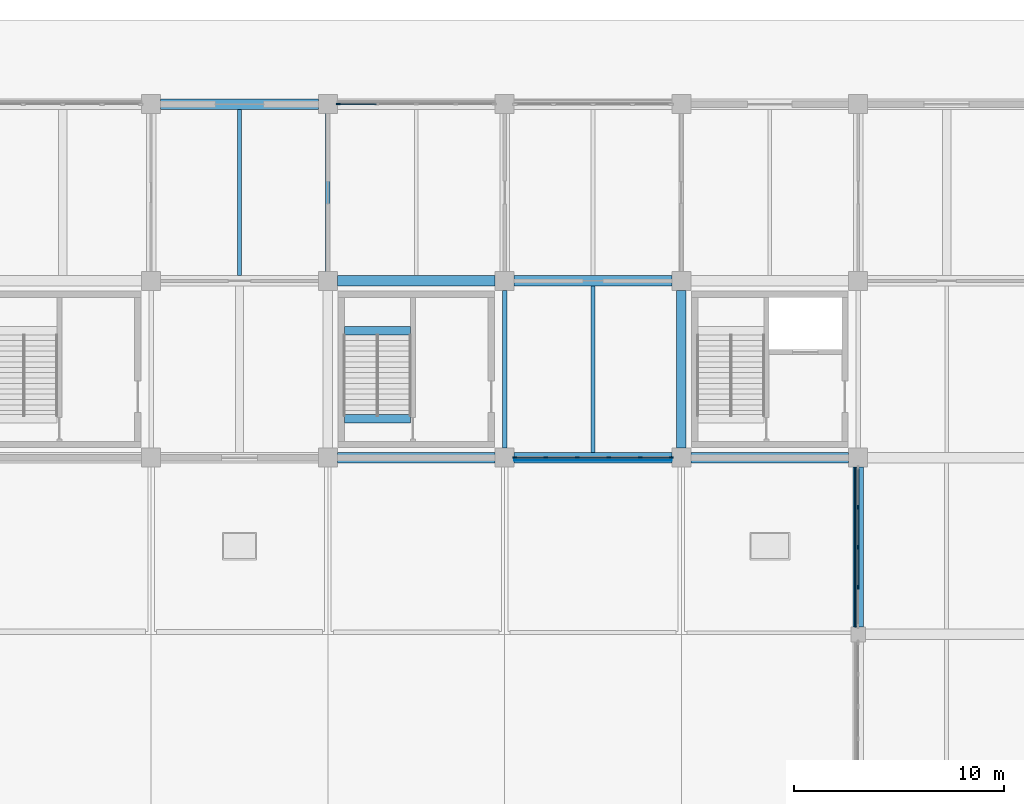
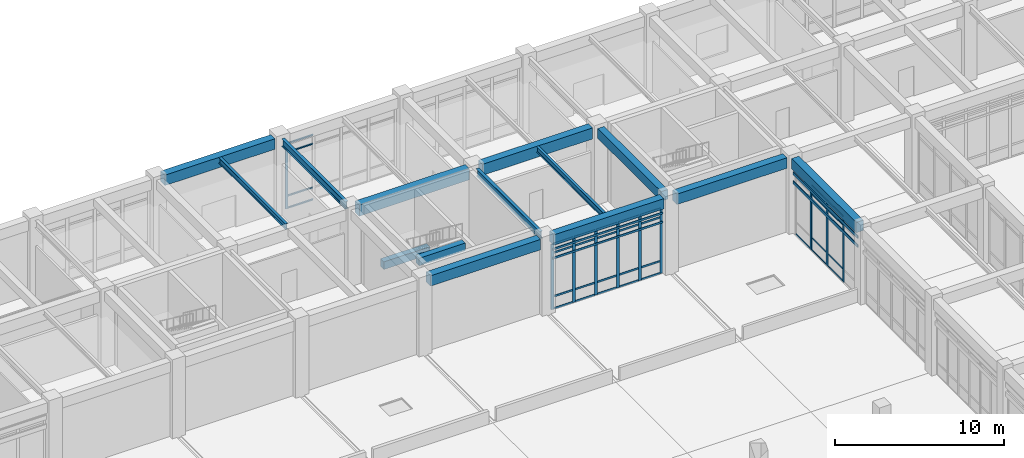
# One storey, part 30 of 91: 47 members, 14 beams, 3 elements without a shape of their own.
"""IFC4 building model written with IfcOpenShell, lengths in metres."""

from ifc_helpers import new_model, si_unit, direction, frame, origin, origin_2d, place, context, subcontext, project, spatial, rectangle, i_section, extrude, material, layer, layer_set, material_profile, profile_set, type_object, element, aggregate, save


model = new_model("IFC4")

# Units and contexts
model_context = context("Model", 3, precision=1e-05, world=origin(), true_north=direction((0.0, 1.0)))
body_context = subcontext(model_context, "Body", "Model", "MODEL_VIEW")
ifc_project = project(units=[si_unit("LENGTHUNIT", "METRE"), si_unit("AREAUNIT", "SQUARE_METRE"), si_unit("VOLUMEUNIT", "CUBIC_METRE"), si_unit("PLANEANGLEUNIT", "RADIAN"), si_unit("MASSUNIT", "GRAM", prefix="KILO")], contexts=[model_context])

# Site, building, storey
site_placement = place(None, origin())
site = spatial("IfcSite", under=ifc_project, at=site_placement, CompositionType="ELEMENT")
building_placement = place(site_placement, origin())
building = spatial("IfcBuilding", under=site, at=building_placement, Name="Porcellanite Civic Hall", CompositionType="ELEMENT")
storey_placement = place(building_placement, origin())
storey = spatial("IfcBuildingStorey", under=building, at=storey_placement, Name="L00", CompositionType="ELEMENT", Elevation=0.0)

# Beams
ifc_material_1 = material(Name="Concrete N50 (50 MPa)", Category="concrete")
ifc_material_profile_1 = material_profile(ifc_material_1, rectangle(XDim=0.39990234375, YDim=0.550048828125, at=origin_2d()), Name="RC-400x550")
ifc_profile_set_1 = profile_set([ifc_material_profile_1], Name="Concrete N50 (50 MPa)")
beam_type_1 = type_object("IfcBeamType", Name="BM-RC550", PredefinedType="JOIST", material=ifc_profile_set_1)
for number, where, z_axis, x_axis, name in (
    (1, (93.180419921875, 106.824951171875, 2.425048828125), (1.0, 0.0, 0.0), (0.0, 1.0, 0.0), "Stair landing beam S10 L00"),
    (2, (93.180419921875, 102.64990234375, 5.22509765625), (1.0, 0.0, 0.0), (0.0, 1.0, 0.0), "Stair header beam S10 L00"),
):
    element("IfcBeam", number, at=place(storey_placement, frame(where, z_axis=z_axis, x_axis=x_axis)), inside=storey, type_object=beam_type_1, Name=name, PredefinedType="JOIST", context=body_context, shape_type="SweptSolid", body=[
        extrude(rectangle(XDim=0.39990234375, YDim=0.550048828125, at=origin_2d()), origin(), (0.0, 0.0, 1.0), 3.13916015625),
    ])
ifc_material_2 = material(Name="Concrete N50 (50 MPa)", Category="concrete")
ifc_material_profile_2 = material_profile(ifc_material_2, rectangle(XDim=0.449951171875, YDim=0.699951171875, at=origin_2d()), Name="RC-450x700")
ifc_profile_set_2 = profile_set([ifc_material_profile_2], Name="Concrete N50 (50 MPa)")
beam_type_2 = type_object("IfcBeamType", Name="BM-RC700", PredefinedType="BEAM", material=ifc_profile_set_2)
beam_1_placement = place(storey_placement, frame((109.199951171875, 101.24951171875, 5.14990234375), z_axis=(0.0, 1.0, 0.0), x_axis=(-1.0, 0.0, 0.0)))
element("IfcBeam", 3, at=beam_1_placement, inside=storey, type_object=beam_type_2, Name="Beam Y L00 14-13", PredefinedType="BEAM", context=body_context, shape_type="SweptSolid", body=[
    extrude(rectangle(XDim=0.449951171875, YDim=0.699951171875, at=origin_2d()), origin(), (0.0, 0.0, 1.0), 7.5009765625),
])
ifc_material_3 = material(Name="Concrete N50 (50 MPa)", Category="concrete")
ifc_material_profile_3 = material_profile(ifc_material_3, rectangle(XDim=0.5, YDim=0.75, at=origin_2d()), Name="RC-500x750")
ifc_profile_set_3 = profile_set([ifc_material_profile_3], Name="Concrete N50 (50 MPa)")
beam_type_3 = type_object("IfcBeamType", Name="BM-RC750", PredefinedType="SPANDREL", material=ifc_profile_set_3)
for number, where, z_axis, x_axis, name in (
    (4, (84.449462890625, 117.60009765625, 5.125), (1.0, 0.0, 0.0), (0.0, 1.0, 0.0), "Beam X L00 11-15"),
    (5, (92.849609375, 100.800048828125, 5.125), (1.0, 0.0, 0.0), (0.0, 1.0, 0.0), "Beam X L00 12-13"),
    (6, (101.24951171875, 100.800048828125, 5.125), (1.0, 0.0, 0.0), (0.0, 1.0, 0.0), "Beam X L00 13-13"),
    (7, (109.6494140625, 100.800048828125, 5.125), (1.0, 0.0, 0.0), (0.0, 1.0, 0.0), "Beam X L00 14-13"),
):
    element("IfcBeam", number, at=place(storey_placement, frame(where, z_axis=z_axis, x_axis=x_axis)), inside=storey, type_object=beam_type_3, Name=name, PredefinedType="SPANDREL", context=body_context, shape_type="SweptSolid", body=[
        extrude(rectangle(XDim=0.5, YDim=0.75, at=origin_2d()), origin(), (0.0, 0.0, 1.0), 7.5009765625),
    ])
beam_2_placement = place(storey_placement, frame((117.60009765625, 92.74951171875, 5.125), z_axis=(0.0, 1.0, 0.0), x_axis=(-1.0, 0.0, 0.0)))
element("IfcBeam", 8, at=beam_2_placement, inside=storey, type_object=beam_type_3, Name="Beam Y L00 15-12", PredefinedType="SPANDREL", context=body_context, shape_type="SweptSolid", body=[
    extrude(rectangle(XDim=0.5, YDim=0.75, at=origin_2d()), origin(), (0.0, 0.0, 1.0), 7.60107421875),
])
ifc_material_4 = material(Name="Concrete N50 (50 MPa)", Category="concrete")
ifc_material_profile_4 = material_profile(ifc_material_4, rectangle(XDim=0.5, YDim=0.800048828125, at=origin_2d()), Name="RC-500x800")
ifc_profile_set_4 = profile_set([ifc_material_profile_4], Name="Concrete N50 (50 MPa)")
beam_type_4 = type_object("IfcBeamType", Name="BM-RC800", PredefinedType="BEAM", material=ifc_profile_set_4)
for number, where, z_axis, x_axis, name in (
    (9, (92.849609375, 109.199951171875, 5.10009765625), (1.0, 0.0, 0.0), (0.0, 1.0, 0.0), "Beam X L00 12-14"),
    (10, (101.24951171875, 109.199951171875, 5.10009765625), (1.0, 0.0, 0.0), (0.0, 1.0, 0.0), "Beam X L00 13-14"),
):
    element("IfcBeam", number, at=place(storey_placement, frame(where, z_axis=z_axis, x_axis=x_axis)), inside=storey, type_object=beam_type_4, Name=name, PredefinedType="BEAM", context=body_context, shape_type="SweptSolid", body=[
        extrude(rectangle(XDim=0.5, YDim=0.800048828125, at=origin_2d()), origin(), (0.0, 0.0, 1.0), 7.5009765625),
    ])

# Curtain wall, member
ifc_material_5 = material(Name="Anodised aluminium and solar laminated glass", Category="aluminium")
ifc_layer_1 = layer(ifc_material_5, 0.179931640625)
ifc_layer_set_1 = layer_set([ifc_layer_1], Name="Anodised aluminium and solar laminated glass")
curtain_wall_type_1 = type_object("IfcCurtainWallType", Name="CW-SYS04", PredefinedType="NOTDEFINED", material=ifc_layer_set_1)
curtain_wall_1_placement = place(storey_placement, origin())
curtain_wall_1 = element("IfcCurtainWall", 11, at=curtain_wall_1_placement, inside=storey, type_object=curtain_wall_type_1, Name="Curtain wall CW-031", PredefinedType="NOTDEFINED")
ifc_material_6 = material(Name="Anodised aluminium 6063-T6", Category="aluminium")
ifc_material_profile_5 = material_profile(ifc_material_6, rectangle(XDim=0.074951171875, YDim=0.18994140625, at=origin_2d()), Name="AL-75x190")
ifc_profile_set_5 = profile_set([ifc_material_profile_5], Name="Anodised aluminium 6063-T6")
member_type_1 = type_object("IfcMemberType", Name="CWM-04", PredefinedType="MULLION", material=ifc_profile_set_5)
member_1_placement = place(storey_placement, frame((92.888427734375, 117.60009765625, 0.0), z_axis=(0.0, 0.0, 1.0), x_axis=(0.0, 1.0, 0.0)))
member_1 = element("IfcMember", 12, at=member_1_placement, type_object=member_type_1, Name="CW-031 mullion 1", PredefinedType="MULLION", context=body_context, shape_type="SweptSolid", body=[
    extrude(rectangle(XDim=0.074951171875, YDim=0.18994140625, at=origin_2d()), origin(), (0.0, 0.0, 1.0), 4.699951171875),
])

# Curtain wall, members
curtain_wall_2_placement = place(storey_placement, origin())
curtain_wall_2 = element("IfcCurtainWall", 13, at=curtain_wall_2_placement, inside=storey, type_object=curtain_wall_type_1, Name="Curtain wall CW-043", PredefinedType="NOTDEFINED")
member_2_placement = place(storey_placement, frame((117.60009765625, 94.650390625, 0.0), z_axis=(0.0, 0.0, 1.0), x_axis=(-1.0, 0.0, 0.0)))
member_2 = element("IfcMember", 14, at=member_2_placement, type_object=member_type_1, Name="CW-043 mullion 2", PredefinedType="MULLION", context=body_context, shape_type="SweptSolid", body=[
    extrude(rectangle(XDim=0.074951171875, YDim=0.18994140625, at=origin_2d()), origin(), (0.0, 0.0, 1.0), 4.699951171875),
])
member_3_placement = place(storey_placement, frame((117.60009765625, 96.550048828125, 0.0), z_axis=(0.0, 0.0, 1.0), x_axis=(-1.0, 0.0, 0.0)))
member_3 = element("IfcMember", 15, at=member_3_placement, type_object=member_type_1, Name="CW-043 mullion 3", PredefinedType="MULLION", context=body_context, shape_type="SweptSolid", body=[
    extrude(rectangle(XDim=0.074951171875, YDim=0.18994140625, at=origin_2d()), origin(), (0.0, 0.0, 1.0), 4.699951171875),
])
member_4_placement = place(storey_placement, frame((117.60009765625, 98.449462890625, 0.0), z_axis=(0.0, 0.0, 1.0), x_axis=(-1.0, 0.0, 0.0)))
member_4 = element("IfcMember", 16, at=member_4_placement, type_object=member_type_1, Name="CW-043 mullion 4", PredefinedType="MULLION", context=body_context, shape_type="SweptSolid", body=[
    extrude(rectangle(XDim=0.074951171875, YDim=0.18994140625, at=origin_2d()), origin(), (0.0, 0.0, 1.0), 4.699951171875),
])

ifc_material_7 = material(Name="Anodised aluminium and solar laminated glass", Category="aluminium")
ifc_layer_2 = layer(ifc_material_7, 0.179931640625)
ifc_layer_set_2 = layer_set([ifc_layer_2], Name="Anodised aluminium and solar laminated glass")
curtain_wall_type_2 = type_object("IfcCurtainWallType", Name="CW-SYS01", PredefinedType="NOTDEFINED", material=ifc_layer_set_2)
curtain_wall_3_placement = place(storey_placement, origin())
curtain_wall_3 = element("IfcCurtainWall", 17, at=curtain_wall_3_placement, inside=storey, type_object=curtain_wall_type_2, Name="Curtain wall CW-035", PredefinedType="NOTDEFINED")
ifc_material_8 = material(Name="Anodised aluminium 6063-T6", Category="aluminium")
ifc_material_profile_6 = material_profile(ifc_material_8, rectangle(XDim=0.070068359375, YDim=0.199951171875, at=origin_2d()), Name="AL-70x200")
ifc_profile_set_6 = profile_set([ifc_material_profile_6], Name="Anodised aluminium 6063-T6")
member_type_2 = type_object("IfcMemberType", Name="CWM-05", PredefinedType="MULLION", material=ifc_profile_set_6)
member_5_placement = place(storey_placement, frame((108.714111328125, 100.800048828125, 0.0), z_axis=(0.0, 0.0, 1.0), x_axis=(0.0, -1.0, 0.0)))
member_5 = element("IfcMember", 18, at=member_5_placement, type_object=member_type_2, Name="CW-035 mullion 1", PredefinedType="MULLION", context=body_context, shape_type="SweptSolid", body=[
    extrude(rectangle(XDim=0.070068359375, YDim=0.199951171875, at=origin_2d()), origin(), (0.0, 0.0, 1.0), 4.699951171875),
])
member_6_placement = place(storey_placement, frame((107.24951171875, 100.800048828125, 0.0), z_axis=(0.0, 0.0, 1.0), x_axis=(0.0, -1.0, 0.0)))
member_6 = element("IfcMember", 19, at=member_6_placement, type_object=member_type_2, Name="CW-035 mullion 2", PredefinedType="MULLION", context=body_context, shape_type="SweptSolid", body=[
    extrude(rectangle(XDim=0.070068359375, YDim=0.199951171875, at=origin_2d()), origin(), (0.0, 0.0, 1.0), 4.699951171875),
])
member_7_placement = place(storey_placement, frame((105.749755859375, 100.800048828125, 0.0), z_axis=(0.0, 0.0, 1.0), x_axis=(0.0, -1.0, 0.0)))
member_7 = element("IfcMember", 20, at=member_7_placement, type_object=member_type_2, Name="CW-035 mullion 3", PredefinedType="MULLION", context=body_context, shape_type="SweptSolid", body=[
    extrude(rectangle(XDim=0.070068359375, YDim=0.199951171875, at=origin_2d()), origin(), (0.0, 0.0, 1.0), 4.699951171875),
])
member_8_placement = place(storey_placement, frame((104.250244140625, 100.800048828125, 0.0), z_axis=(0.0, 0.0, 1.0), x_axis=(0.0, -1.0, 0.0)))
member_8 = element("IfcMember", 21, at=member_8_placement, type_object=member_type_2, Name="CW-035 mullion 4", PredefinedType="MULLION", context=body_context, shape_type="SweptSolid", body=[
    extrude(rectangle(XDim=0.070068359375, YDim=0.199951171875, at=origin_2d()), origin(), (0.0, 0.0, 1.0), 4.699951171875),
])
member_9_placement = place(storey_placement, frame((102.75048828125, 100.800048828125, 0.0), z_axis=(0.0, 0.0, 1.0), x_axis=(0.0, -1.0, 0.0)))
member_9 = element("IfcMember", 22, at=member_9_placement, type_object=member_type_2, Name="CW-035 mullion 5", PredefinedType="MULLION", context=body_context, shape_type="SweptSolid", body=[
    extrude(rectangle(XDim=0.070068359375, YDim=0.199951171875, at=origin_2d()), origin(), (0.0, 0.0, 1.0), 4.699951171875),
])
member_10_placement = place(storey_placement, frame((101.285888671875, 100.800048828125, 0.0), z_axis=(0.0, 0.0, 1.0), x_axis=(0.0, -1.0, 0.0)))
member_10 = element("IfcMember", 23, at=member_10_placement, type_object=member_type_2, Name="CW-035 mullion 6", PredefinedType="MULLION", context=body_context, shape_type="SweptSolid", body=[
    extrude(rectangle(XDim=0.070068359375, YDim=0.199951171875, at=origin_2d()), origin(), (0.0, 0.0, 1.0), 4.699951171875),
])
ifc_material_9 = material(Name="Anodised aluminium 6063-T6", Category="aluminium")
ifc_material_profile_7 = material_profile(ifc_material_9, rectangle(XDim=0.06005859375, YDim=0.1298828125, at=origin_2d()), Name="AL-60x130")
ifc_profile_set_7 = profile_set([ifc_material_profile_7], Name="Anodised aluminium 6063-T6")
member_type_3 = type_object("IfcMemberType", Name="CWT-03", PredefinedType="USERDEFINED", material=ifc_profile_set_7)
member_11_placement = place(storey_placement, frame((108.678955078125, 100.800048828125, 0.030029296875), z_axis=(-1.0, 0.0, 0.0), x_axis=(0.0, -1.0, 0.0)))
member_11 = element("IfcMember", 24, at=member_11_placement, type_object=member_type_3, Name="CW-035 transom 1.1", ObjectType="TRANSOM", PredefinedType="USERDEFINED", context=body_context, shape_type="SweptSolid", body=[
    extrude(rectangle(XDim=0.06005859375, YDim=0.1298828125, at=origin_2d()), origin(), (0.0, 0.0, 1.0), 1.39453125),
])
member_12_placement = place(storey_placement, frame((108.678955078125, 100.800048828125, 0.89990234375), z_axis=(-1.0, 0.0, 0.0), x_axis=(0.0, -1.0, 0.0)))
member_12 = element("IfcMember", 25, at=member_12_placement, type_object=member_type_3, Name="CW-035 transom 1.2", ObjectType="TRANSOM", PredefinedType="USERDEFINED", context=body_context, shape_type="SweptSolid", body=[
    extrude(rectangle(XDim=0.06005859375, YDim=0.1298828125, at=origin_2d()), origin(), (0.0, 0.0, 1.0), 1.39453125),
])
member_13_placement = place(storey_placement, frame((108.678955078125, 100.800048828125, 4.050048828125), z_axis=(-1.0, 0.0, 0.0), x_axis=(0.0, -1.0, 0.0)))
member_13 = element("IfcMember", 26, at=member_13_placement, type_object=member_type_3, Name="CW-035 transom 1.3", ObjectType="TRANSOM", PredefinedType="USERDEFINED", context=body_context, shape_type="SweptSolid", body=[
    extrude(rectangle(XDim=0.06005859375, YDim=0.1298828125, at=origin_2d()), origin(), (0.0, 0.0, 1.0), 1.39453125),
])
member_14_placement = place(storey_placement, frame((108.678955078125, 100.800048828125, 4.669921875), z_axis=(-1.0, 0.0, 0.0), x_axis=(0.0, -1.0, 0.0)))
member_14 = element("IfcMember", 27, at=member_14_placement, type_object=member_type_3, Name="CW-035 transom 1.4", ObjectType="TRANSOM", PredefinedType="USERDEFINED", context=body_context, shape_type="SweptSolid", body=[
    extrude(rectangle(XDim=0.06005859375, YDim=0.1298828125, at=origin_2d()), origin(), (0.0, 0.0, 1.0), 1.39453125),
])
member_15_placement = place(storey_placement, frame((107.21435546875, 100.800048828125, 0.030029296875), z_axis=(-1.0, 0.0, 0.0), x_axis=(0.0, -1.0, 0.0)))
member_15 = element("IfcMember", 28, at=member_15_placement, type_object=member_type_3, Name="CW-035 transom 2.1", ObjectType="TRANSOM", PredefinedType="USERDEFINED", context=body_context, shape_type="SweptSolid", body=[
    extrude(rectangle(XDim=0.06005859375, YDim=0.1298828125, at=origin_2d()), origin(), (0.0, 0.0, 1.0), 1.429443359375),
])
member_16_placement = place(storey_placement, frame((107.21435546875, 100.800048828125, 0.89990234375), z_axis=(-1.0, 0.0, 0.0), x_axis=(0.0, -1.0, 0.0)))
member_16 = element("IfcMember", 29, at=member_16_placement, type_object=member_type_3, Name="CW-035 transom 2.2", ObjectType="TRANSOM", PredefinedType="USERDEFINED", context=body_context, shape_type="SweptSolid", body=[
    extrude(rectangle(XDim=0.06005859375, YDim=0.1298828125, at=origin_2d()), origin(), (0.0, 0.0, 1.0), 1.429443359375),
])
member_17_placement = place(storey_placement, frame((107.21435546875, 100.800048828125, 4.050048828125), z_axis=(-1.0, 0.0, 0.0), x_axis=(0.0, -1.0, 0.0)))
member_17 = element("IfcMember", 30, at=member_17_placement, type_object=member_type_3, Name="CW-035 transom 2.3", ObjectType="TRANSOM", PredefinedType="USERDEFINED", context=body_context, shape_type="SweptSolid", body=[
    extrude(rectangle(XDim=0.06005859375, YDim=0.1298828125, at=origin_2d()), origin(), (0.0, 0.0, 1.0), 1.429443359375),
])
member_18_placement = place(storey_placement, frame((107.21435546875, 100.800048828125, 4.669921875), z_axis=(-1.0, 0.0, 0.0), x_axis=(0.0, -1.0, 0.0)))
member_18 = element("IfcMember", 31, at=member_18_placement, type_object=member_type_3, Name="CW-035 transom 2.4", ObjectType="TRANSOM", PredefinedType="USERDEFINED", context=body_context, shape_type="SweptSolid", body=[
    extrude(rectangle(XDim=0.06005859375, YDim=0.1298828125, at=origin_2d()), origin(), (0.0, 0.0, 1.0), 1.429443359375),
])
member_19_placement = place(storey_placement, frame((105.71484375, 100.800048828125, 0.030029296875), z_axis=(-1.0, 0.0, 0.0), x_axis=(0.0, -1.0, 0.0)))
member_19 = element("IfcMember", 32, at=member_19_placement, type_object=member_type_3, Name="CW-035 transom 3.1", ObjectType="TRANSOM", PredefinedType="USERDEFINED", context=body_context, shape_type="SweptSolid", body=[
    extrude(rectangle(XDim=0.06005859375, YDim=0.1298828125, at=origin_2d()), origin(), (0.0, 0.0, 1.0), 1.4296875),
])
member_20_placement = place(storey_placement, frame((105.71484375, 100.800048828125, 0.89990234375), z_axis=(-1.0, 0.0, 0.0), x_axis=(0.0, -1.0, 0.0)))
member_20 = element("IfcMember", 33, at=member_20_placement, type_object=member_type_3, Name="CW-035 transom 3.2", ObjectType="TRANSOM", PredefinedType="USERDEFINED", context=body_context, shape_type="SweptSolid", body=[
    extrude(rectangle(XDim=0.06005859375, YDim=0.1298828125, at=origin_2d()), origin(), (0.0, 0.0, 1.0), 1.4296875),
])
member_21_placement = place(storey_placement, frame((105.71484375, 100.800048828125, 4.050048828125), z_axis=(-1.0, 0.0, 0.0), x_axis=(0.0, -1.0, 0.0)))
member_21 = element("IfcMember", 34, at=member_21_placement, type_object=member_type_3, Name="CW-035 transom 3.3", ObjectType="TRANSOM", PredefinedType="USERDEFINED", context=body_context, shape_type="SweptSolid", body=[
    extrude(rectangle(XDim=0.06005859375, YDim=0.1298828125, at=origin_2d()), origin(), (0.0, 0.0, 1.0), 1.4296875),
])
member_22_placement = place(storey_placement, frame((105.71484375, 100.800048828125, 4.669921875), z_axis=(-1.0, 0.0, 0.0), x_axis=(0.0, -1.0, 0.0)))
member_22 = element("IfcMember", 35, at=member_22_placement, type_object=member_type_3, Name="CW-035 transom 3.4", ObjectType="TRANSOM", PredefinedType="USERDEFINED", context=body_context, shape_type="SweptSolid", body=[
    extrude(rectangle(XDim=0.06005859375, YDim=0.1298828125, at=origin_2d()), origin(), (0.0, 0.0, 1.0), 1.4296875),
])
member_23_placement = place(storey_placement, frame((104.215087890625, 100.800048828125, 0.030029296875), z_axis=(-1.0, 0.0, 0.0), x_axis=(0.0, -1.0, 0.0)))
member_23 = element("IfcMember", 36, at=member_23_placement, type_object=member_type_3, Name="CW-035 transom 4.1", ObjectType="TRANSOM", PredefinedType="USERDEFINED", context=body_context, shape_type="SweptSolid", body=[
    extrude(rectangle(XDim=0.06005859375, YDim=0.1298828125, at=origin_2d()), origin(), (0.0, 0.0, 1.0), 1.429443359375),
])
member_24_placement = place(storey_placement, frame((104.215087890625, 100.800048828125, 0.89990234375), z_axis=(-1.0, 0.0, 0.0), x_axis=(0.0, -1.0, 0.0)))
member_24 = element("IfcMember", 37, at=member_24_placement, type_object=member_type_3, Name="CW-035 transom 4.2", ObjectType="TRANSOM", PredefinedType="USERDEFINED", context=body_context, shape_type="SweptSolid", body=[
    extrude(rectangle(XDim=0.06005859375, YDim=0.1298828125, at=origin_2d()), origin(), (0.0, 0.0, 1.0), 1.429443359375),
])
member_25_placement = place(storey_placement, frame((104.215087890625, 100.800048828125, 4.050048828125), z_axis=(-1.0, 0.0, 0.0), x_axis=(0.0, -1.0, 0.0)))
member_25 = element("IfcMember", 38, at=member_25_placement, type_object=member_type_3, Name="CW-035 transom 4.3", ObjectType="TRANSOM", PredefinedType="USERDEFINED", context=body_context, shape_type="SweptSolid", body=[
    extrude(rectangle(XDim=0.06005859375, YDim=0.1298828125, at=origin_2d()), origin(), (0.0, 0.0, 1.0), 1.429443359375),
])
member_26_placement = place(storey_placement, frame((104.215087890625, 100.800048828125, 4.669921875), z_axis=(-1.0, 0.0, 0.0), x_axis=(0.0, -1.0, 0.0)))
member_26 = element("IfcMember", 39, at=member_26_placement, type_object=member_type_3, Name="CW-035 transom 4.4", ObjectType="TRANSOM", PredefinedType="USERDEFINED", context=body_context, shape_type="SweptSolid", body=[
    extrude(rectangle(XDim=0.06005859375, YDim=0.1298828125, at=origin_2d()), origin(), (0.0, 0.0, 1.0), 1.429443359375),
])
member_27_placement = place(storey_placement, frame((102.715576171875, 100.800048828125, 0.030029296875), z_axis=(-1.0, 0.0, 0.0), x_axis=(0.0, -1.0, 0.0)))
member_27 = element("IfcMember", 40, at=member_27_placement, type_object=member_type_3, Name="CW-035 transom 5.1", ObjectType="TRANSOM", PredefinedType="USERDEFINED", context=body_context, shape_type="SweptSolid", body=[
    extrude(rectangle(XDim=0.06005859375, YDim=0.1298828125, at=origin_2d()), origin(), (0.0, 0.0, 1.0), 1.39453125),
])
member_28_placement = place(storey_placement, frame((102.715576171875, 100.800048828125, 0.89990234375), z_axis=(-1.0, 0.0, 0.0), x_axis=(0.0, -1.0, 0.0)))
member_28 = element("IfcMember", 41, at=member_28_placement, type_object=member_type_3, Name="CW-035 transom 5.2", ObjectType="TRANSOM", PredefinedType="USERDEFINED", context=body_context, shape_type="SweptSolid", body=[
    extrude(rectangle(XDim=0.06005859375, YDim=0.1298828125, at=origin_2d()), origin(), (0.0, 0.0, 1.0), 1.39453125),
])
member_29_placement = place(storey_placement, frame((102.715576171875, 100.800048828125, 4.050048828125), z_axis=(-1.0, 0.0, 0.0), x_axis=(0.0, -1.0, 0.0)))
member_29 = element("IfcMember", 42, at=member_29_placement, type_object=member_type_3, Name="CW-035 transom 5.3", ObjectType="TRANSOM", PredefinedType="USERDEFINED", context=body_context, shape_type="SweptSolid", body=[
    extrude(rectangle(XDim=0.06005859375, YDim=0.1298828125, at=origin_2d()), origin(), (0.0, 0.0, 1.0), 1.39453125),
])
member_30_placement = place(storey_placement, frame((102.715576171875, 100.800048828125, 4.669921875), z_axis=(-1.0, 0.0, 0.0), x_axis=(0.0, -1.0, 0.0)))
member_30 = element("IfcMember", 43, at=member_30_placement, type_object=member_type_3, Name="CW-035 transom 5.4", ObjectType="TRANSOM", PredefinedType="USERDEFINED", context=body_context, shape_type="SweptSolid", body=[
    extrude(rectangle(XDim=0.06005859375, YDim=0.1298828125, at=origin_2d()), origin(), (0.0, 0.0, 1.0), 1.39453125),
])
aggregate(curtain_wall_3, [member_5, member_6, member_7, member_8, member_9, member_10, member_11, member_12, member_13, member_14, member_15, member_16, member_17, member_18, member_19, member_20, member_21, member_22, member_23, member_24, member_25, member_26, member_27, member_28, member_29, member_30])

# Member
ifc_material_10 = material(Name="Anodised aluminium 6063-T6", Category="aluminium")
ifc_material_profile_8 = material_profile(ifc_material_10, rectangle(XDim=0.054931640625, YDim=0.10009765625, at=origin_2d()), Name="AL-55x100")
ifc_profile_set_8 = profile_set([ifc_material_profile_8], Name="Anodised aluminium 6063-T6")
member_type_4 = type_object("IfcMemberType", Name="CWT-05", PredefinedType="USERDEFINED", material=ifc_profile_set_8)
member_31_placement = place(storey_placement, frame((92.926025390625, 117.60009765625, 0.027587890625), z_axis=(1.0, 0.0, 0.0), x_axis=(0.0, 1.0, 0.0)))
member_31 = element("IfcMember", 44, at=member_31_placement, type_object=member_type_4, Name="CW-031 transom 1.1", ObjectType="TRANSOM", PredefinedType="USERDEFINED", context=body_context, shape_type="SweptSolid", body=[
    extrude(rectangle(XDim=0.054931640625, YDim=0.10009765625, at=origin_2d()), origin(), (0.0, 0.0, 1.0), 1.761962890625),
])

member_32_placement = place(storey_placement, frame((92.926025390625, 117.60009765625, 0.89990234375), z_axis=(1.0, 0.0, 0.0), x_axis=(0.0, 1.0, 0.0)))
member_32 = element("IfcMember", 45, at=member_32_placement, type_object=member_type_4, Name="CW-031 transom 1.2", ObjectType="TRANSOM", PredefinedType="USERDEFINED", context=body_context, shape_type="SweptSolid", body=[
    extrude(rectangle(XDim=0.054931640625, YDim=0.10009765625, at=origin_2d()), origin(), (0.0, 0.0, 1.0), 1.761962890625),
])

member_33_placement = place(storey_placement, frame((92.926025390625, 117.60009765625, 4.050048828125), z_axis=(1.0, 0.0, 0.0), x_axis=(0.0, 1.0, 0.0)))
member_33 = element("IfcMember", 46, at=member_33_placement, type_object=member_type_4, Name="CW-031 transom 1.3", ObjectType="TRANSOM", PredefinedType="USERDEFINED", context=body_context, shape_type="SweptSolid", body=[
    extrude(rectangle(XDim=0.054931640625, YDim=0.10009765625, at=origin_2d()), origin(), (0.0, 0.0, 1.0), 1.761962890625),
])

member_34_placement = place(storey_placement, frame((92.926025390625, 117.60009765625, 4.672607421875), z_axis=(1.0, 0.0, 0.0), x_axis=(0.0, 1.0, 0.0)))
member_34 = element("IfcMember", 47, at=member_34_placement, type_object=member_type_4, Name="CW-031 transom 1.4", ObjectType="TRANSOM", PredefinedType="USERDEFINED", context=body_context, shape_type="SweptSolid", body=[
    extrude(rectangle(XDim=0.054931640625, YDim=0.10009765625, at=origin_2d()), origin(), (0.0, 0.0, 1.0), 1.761962890625),
])

aggregate(curtain_wall_1, [member_1, member_31, member_32, member_33, member_34])

member_35_placement = place(storey_placement, frame((117.60009765625, 94.68798828125, 0.027587890625), z_axis=(0.0, 1.0, 0.0), x_axis=(-1.0, 0.0, 0.0)))
member_35 = element("IfcMember", 48, at=member_35_placement, type_object=member_type_4, Name="CW-043 transom 2.1", ObjectType="TRANSOM", PredefinedType="USERDEFINED", context=body_context, shape_type="SweptSolid", body=[
    extrude(rectangle(XDim=0.054931640625, YDim=0.10009765625, at=origin_2d()), origin(), (0.0, 0.0, 1.0), 1.824462890625),
])

member_36_placement = place(storey_placement, frame((117.60009765625, 94.68798828125, 0.89990234375), z_axis=(0.0, 1.0, 0.0), x_axis=(-1.0, 0.0, 0.0)))
member_36 = element("IfcMember", 49, at=member_36_placement, type_object=member_type_4, Name="CW-043 transom 2.2", ObjectType="TRANSOM", PredefinedType="USERDEFINED", context=body_context, shape_type="SweptSolid", body=[
    extrude(rectangle(XDim=0.054931640625, YDim=0.10009765625, at=origin_2d()), origin(), (0.0, 0.0, 1.0), 1.824462890625),
])

member_37_placement = place(storey_placement, frame((117.60009765625, 94.68798828125, 4.050048828125), z_axis=(0.0, 1.0, 0.0), x_axis=(-1.0, 0.0, 0.0)))
member_37 = element("IfcMember", 50, at=member_37_placement, type_object=member_type_4, Name="CW-043 transom 2.3", ObjectType="TRANSOM", PredefinedType="USERDEFINED", context=body_context, shape_type="SweptSolid", body=[
    extrude(rectangle(XDim=0.054931640625, YDim=0.10009765625, at=origin_2d()), origin(), (0.0, 0.0, 1.0), 1.824462890625),
])

member_38_placement = place(storey_placement, frame((117.60009765625, 94.68798828125, 4.672607421875), z_axis=(0.0, 1.0, 0.0), x_axis=(-1.0, 0.0, 0.0)))
member_38 = element("IfcMember", 51, at=member_38_placement, type_object=member_type_4, Name="CW-043 transom 2.4", ObjectType="TRANSOM", PredefinedType="USERDEFINED", context=body_context, shape_type="SweptSolid", body=[
    extrude(rectangle(XDim=0.054931640625, YDim=0.10009765625, at=origin_2d()), origin(), (0.0, 0.0, 1.0), 1.824462890625),
])

member_39_placement = place(storey_placement, frame((117.60009765625, 96.58740234375, 0.027587890625), z_axis=(0.0, 1.0, 0.0), x_axis=(-1.0, 0.0, 0.0)))
member_39 = element("IfcMember", 52, at=member_39_placement, type_object=member_type_4, Name="CW-043 transom 3.1", ObjectType="TRANSOM", PredefinedType="USERDEFINED", context=body_context, shape_type="SweptSolid", body=[
    extrude(rectangle(XDim=0.054931640625, YDim=0.10009765625, at=origin_2d()), origin(), (0.0, 0.0, 1.0), 1.82470703125),
])

member_40_placement = place(storey_placement, frame((117.60009765625, 96.58740234375, 0.89990234375), z_axis=(0.0, 1.0, 0.0), x_axis=(-1.0, 0.0, 0.0)))
member_40 = element("IfcMember", 53, at=member_40_placement, type_object=member_type_4, Name="CW-043 transom 3.2", ObjectType="TRANSOM", PredefinedType="USERDEFINED", context=body_context, shape_type="SweptSolid", body=[
    extrude(rectangle(XDim=0.054931640625, YDim=0.10009765625, at=origin_2d()), origin(), (0.0, 0.0, 1.0), 1.82470703125),
])

member_41_placement = place(storey_placement, frame((117.60009765625, 96.58740234375, 4.050048828125), z_axis=(0.0, 1.0, 0.0), x_axis=(-1.0, 0.0, 0.0)))
member_41 = element("IfcMember", 54, at=member_41_placement, type_object=member_type_4, Name="CW-043 transom 3.3", ObjectType="TRANSOM", PredefinedType="USERDEFINED", context=body_context, shape_type="SweptSolid", body=[
    extrude(rectangle(XDim=0.054931640625, YDim=0.10009765625, at=origin_2d()), origin(), (0.0, 0.0, 1.0), 1.82470703125),
])

member_42_placement = place(storey_placement, frame((117.60009765625, 96.58740234375, 4.672607421875), z_axis=(0.0, 1.0, 0.0), x_axis=(-1.0, 0.0, 0.0)))
member_42 = element("IfcMember", 55, at=member_42_placement, type_object=member_type_4, Name="CW-043 transom 3.4", ObjectType="TRANSOM", PredefinedType="USERDEFINED", context=body_context, shape_type="SweptSolid", body=[
    extrude(rectangle(XDim=0.054931640625, YDim=0.10009765625, at=origin_2d()), origin(), (0.0, 0.0, 1.0), 1.82470703125),
])

member_43_placement = place(storey_placement, frame((117.60009765625, 98.487060546875, 0.027587890625), z_axis=(0.0, 1.0, 0.0), x_axis=(-1.0, 0.0, 0.0)))
member_43 = element("IfcMember", 56, at=member_43_placement, type_object=member_type_4, Name="CW-043 transom 4.1", ObjectType="TRANSOM", PredefinedType="USERDEFINED", context=body_context, shape_type="SweptSolid", body=[
    extrude(rectangle(XDim=0.054931640625, YDim=0.10009765625, at=origin_2d()), origin(), (0.0, 0.0, 1.0), 1.786865234375),
])

aggregate(curtain_wall_2, [member_2, member_3, member_4, member_35, member_36, member_37, member_38, member_39, member_40, member_41, member_42, member_43])

# Beams
ifc_material_11 = material(Name="Steel Grade 350", Category="steel")
ifc_material_profile_9 = material_profile(ifc_material_11, i_section(OverallWidth=0.177978515625, OverallDepth=0.403076171875, WebThickness=0.007568359375, FlangeThickness=0.010986328125, FilletRadius=0.011474609375, at=origin_2d()), Name="410UB53.7")
ifc_profile_set_9 = profile_set([ifc_material_profile_9], Name="Steel Grade 350")
beam_type_5 = type_object("IfcBeamType", Name="JST-410UB54", PredefinedType="JOIST", material=ifc_profile_set_9)
beam_3_placement = place(storey_placement, frame((105.0, 101.049560546875, 5.298583984375), z_axis=(0.0, 1.0, 0.0), x_axis=(-1.0, 0.0, 0.0)))
element("IfcBeam", 57, at=beam_3_placement, inside=storey, type_object=beam_type_5, Name="Secondary joist L00 13-13", PredefinedType="JOIST", context=body_context, shape_type="SweptSolid", body=[
    extrude(i_section(OverallWidth=0.177978515625, OverallDepth=0.403076171875, WebThickness=0.007568359375, FlangeThickness=0.010986328125, FilletRadius=0.011474609375, at=origin_2d()), origin(), (0.0, 0.0, 1.0), 7.90087890625),
])
ifc_material_12 = material(Name="Steel Grade 350", Category="steel")
ifc_material_profile_10 = material_profile(ifc_material_12, i_section(OverallWidth=0.177978515625, OverallDepth=0.406005859375, WebThickness=0.0078125, FlangeThickness=0.0126953125, FilletRadius=0.011474609375, at=origin_2d()), Name="410UB59.7")
ifc_profile_set_10 = profile_set([ifc_material_profile_10], Name="Steel Grade 350")
beam_type_6 = type_object("IfcBeamType", Name="JST-410UB60", PredefinedType="JOIST", material=ifc_profile_set_10)
beam_4_placement = place(storey_placement, frame((88.199951171875, 109.449462890625, 5.297119140625), z_axis=(0.0, 1.0, 0.0), x_axis=(-1.0, 0.0, 0.0)))
element("IfcBeam", 58, at=beam_4_placement, inside=storey, type_object=beam_type_6, Name="Secondary joist L00 11-14", PredefinedType="JOIST", context=body_context, shape_type="SweptSolid", body=[
    extrude(i_section(OverallWidth=0.177978515625, OverallDepth=0.406005859375, WebThickness=0.0078125, FlangeThickness=0.0126953125, FilletRadius=0.011474609375, at=origin_2d()), origin(), (0.0, 0.0, 1.0), 7.901123046875),
])

# Members
ifc_material_13 = material(Name="Fluoropolymer bauxite-red aluminium 6063-T6", Category="aluminium")
ifc_material_profile_11 = material_profile(ifc_material_13, rectangle(XDim=0.06005859375, YDim=0.219970703125, at=origin_2d()), Name="AL-60x220")
ifc_profile_set_11 = profile_set([ifc_material_profile_11], Name="Fluoropolymer bauxite-red aluminium 6063-T6")
member_type_5 = type_object("IfcMemberType", Name="LV-BLD08", PredefinedType="USERDEFINED", material=ifc_profile_set_11)
for number, where, z_axis, x_axis, name in (
    (59, (117.472900390625, 92.74951171875, 4.39990234375), (0.0, 1.0, 0.0), (-1.0, 0.0, 0.0), "Cyclone sunshade louvre L00 W 14-11 1"),
    (60, (117.472900390625, 92.74951171875, 3.75), (0.0, 1.0, 0.0), (-1.0, 0.0, 0.0), "Cyclone sunshade louvre L00 W 14-11 2"),
):
    element("IfcMember", number, at=place(storey_placement, frame(where, z_axis=z_axis, x_axis=x_axis)), inside=storey, type_object=member_type_5, Name=name, ObjectType="LOUVRE BLADE", PredefinedType="USERDEFINED", context=body_context, shape_type="SweptSolid", body=[
        extrude(rectangle(XDim=0.06005859375, YDim=0.219970703125, at=origin_2d()), origin(), (0.0, 0.0, 1.0), 7.60107421875),
    ])
ifc_material_14 = material(Name="Fluoropolymer bauxite-red aluminium 6063-T6", Category="aluminium")
ifc_material_profile_12 = material_profile(ifc_material_14, rectangle(XDim=0.0400390625, YDim=0.139892578125, at=origin_2d()), Name="AL-40x140")
ifc_profile_set_12 = profile_set([ifc_material_profile_12], Name="Fluoropolymer bauxite-red aluminium 6063-T6")
member_type_6 = type_object("IfcMemberType", Name="LV-BLD12", PredefinedType="USERDEFINED", material=ifc_profile_set_12)
for number, where, z_axis, x_axis, name in (
    (61, (108.75048828125, 100.677978515625, 4.39990234375), (-1.0, 0.0, 0.0), (0.0, -1.0, 0.0), "Cyclone sunshade louvre L00 S 12-12 1"),
    (62, (108.75048828125, 100.677978515625, 3.75), (-1.0, 0.0, 0.0), (0.0, -1.0, 0.0), "Cyclone sunshade louvre L00 S 12-12 2"),
):
    element("IfcMember", number, at=place(storey_placement, frame(where, z_axis=z_axis, x_axis=x_axis)), inside=storey, type_object=member_type_6, Name=name, ObjectType="LOUVRE BLADE", PredefinedType="USERDEFINED", context=body_context, shape_type="SweptSolid", body=[
        extrude(rectangle(XDim=0.0400390625, YDim=0.139892578125, at=origin_2d()), origin(), (0.0, 0.0, 1.0), 7.5009765625),
    ])

# Beams
ifc_material_15 = material(Name="Steel Grade 350", Category="steel")
ifc_material_profile_13 = material_profile(ifc_material_15, i_section(OverallWidth=0.208984375, OverallDepth=0.528076171875, WebThickness=0.009521484375, FlangeThickness=0.01318359375, FilletRadius=0.013916015625, at=origin_2d()), Name="530UB82.0")
ifc_profile_set_13 = profile_set([ifc_material_profile_13], Name="Steel Grade 350")
beam_type_7 = type_object("IfcBeamType", Name="RAF-530UB82", PredefinedType="BEAM", material=ifc_profile_set_13)
for number, where, z_axis, x_axis, name in (
    (63, (92.39990234375, 109.6494140625, 5.236083984375), (0.0, 1.0, 0.0), (-1.0, 0.0, 0.0), "Beam Y L00 12-14"),
    (64, (100.800048828125, 101.24951171875, 5.236083984375), (0.0, 1.0, 0.0), (-1.0, 0.0, 0.0), "Beam Y L00 13-13"),
):
    element("IfcBeam", number, at=place(storey_placement, frame(where, z_axis=z_axis, x_axis=x_axis)), inside=storey, type_object=beam_type_7, Name=name, PredefinedType="BEAM", context=body_context, shape_type="SweptSolid", body=[
        extrude(i_section(OverallWidth=0.208984375, OverallDepth=0.528076171875, WebThickness=0.009521484375, FlangeThickness=0.01318359375, FilletRadius=0.013916015625, at=origin_2d()), origin(), (0.0, 0.0, 1.0), 7.5009765625),
    ])

save(model, "model.ifc")
